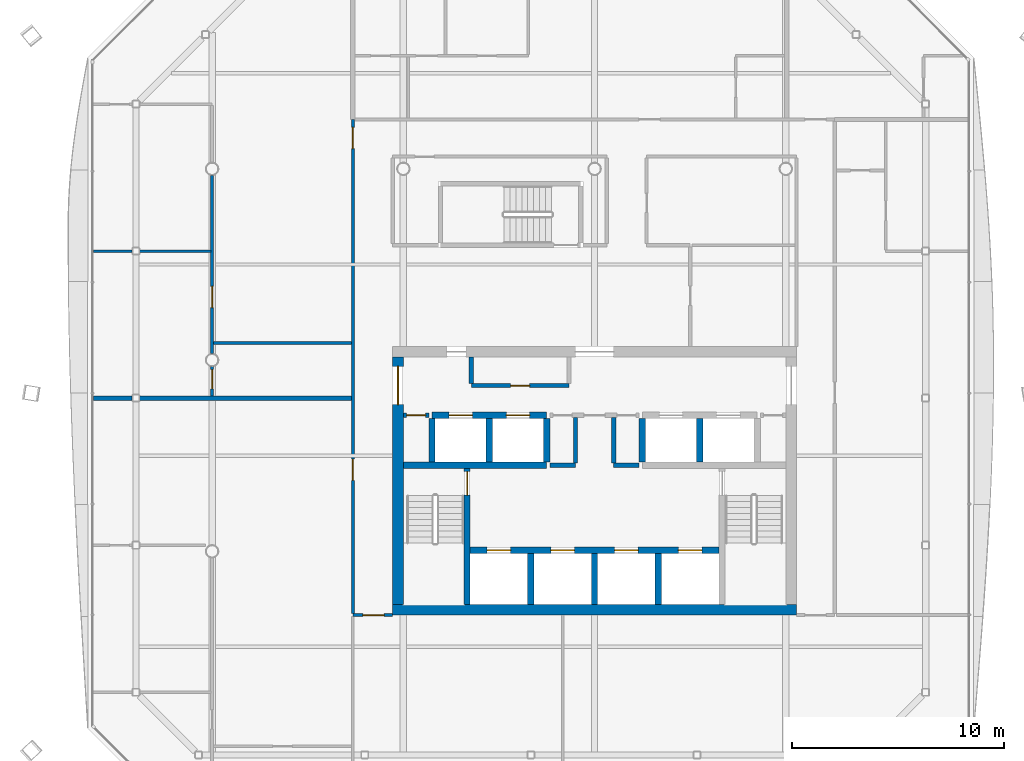
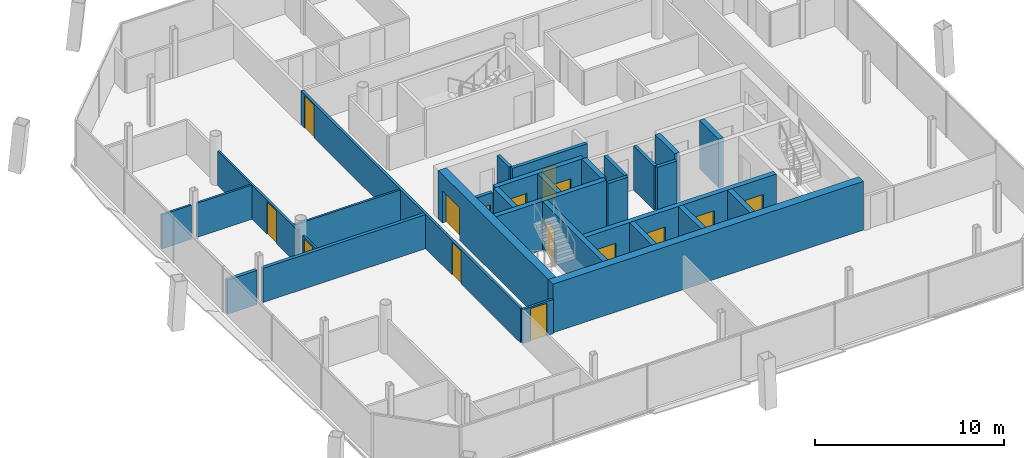
# One storey, part 14 of 20: 30 walls, 15 doors, 15 openings.
"""IFC4 building model written with IfcOpenShell, lengths in metres."""

from ifc_helpers import new_model, si_unit, direction, frame, frame_2d, origin, place, context, subcontext, project, spatial, rectangle, extrude, material, layer, layer_set, type_object, element, fill, save


model = new_model("IFC4")

# Units and contexts
model_context = context("Model", 3, precision=1e-05, world=origin(), true_north=direction((0.0, 1.0)))
body_context = subcontext(model_context, "Body", "Model", "MODEL_VIEW")
ifc_project = project(units=[si_unit("LENGTHUNIT", "METRE"), si_unit("AREAUNIT", "SQUARE_METRE"), si_unit("VOLUMEUNIT", "CUBIC_METRE"), si_unit("PLANEANGLEUNIT", "RADIAN"), si_unit("MASSUNIT", "GRAM", prefix="KILO")], contexts=[model_context])

# Site, building, storey
site_placement = place(None, origin())
site = spatial("IfcSite", under=ifc_project, at=site_placement, CompositionType="ELEMENT")
building_placement = place(site_placement, origin())
building = spatial("IfcBuilding", under=site, at=building_placement, Name="Tskaro Facet Tower", CompositionType="ELEMENT")
storey_placement = place(building_placement, frame((0.0, 0.0, 184.800048828125)))
storey = spatial("IfcBuildingStorey", under=building, at=storey_placement, Name="L46", CompositionType="ELEMENT", Elevation=184.800048828125)

# Wall, openings, doors
ifc_material_1 = material(Name="Concrete C60/75", Category="concrete")
ifc_layer_1 = layer(ifc_material_1, 0.300048828125, Name="Concrete C60/75")
ifc_layer_set_1 = layer_set([ifc_layer_1], Name="Concrete C60/75")
wall_type_1 = type_object("IfcWallType", Name="CORE-SHAFT", PredefinedType="SHEAR", material=ifc_layer_set_1)
wall_1_placement = place(storey_placement, frame((-5.85009765625, -8.949951171875, 0.0), z_axis=(0.0, 0.0, 1.0), x_axis=(1.0, 0.0, 0.0)))
wall_1 = element("IfcWall", 1, at=wall_1_placement, inside=storey, type_object=wall_type_1, Name="Shaft wall W007", PredefinedType="SHEAR", context=body_context, shape_type="SweptSolid", body=[
    extrude(rectangle(XDim=11.7001953125, YDim=0.300048828125, at=frame_2d((5.85009765625, 0.0))), origin(), (0.0, 0.0, 1.0), 3.14990234375),
])
opening_1_placement = place(wall_1_placement, frame((0.800048828125, 0.0, 0.0)))
opening_1 = element("IfcOpeningElement", 2, at=opening_1_placement, cuts=wall_1, Name="Opening LD-FF1", PredefinedType="OPENING", context=body_context, shape_type="SweptSolid", body=[
    extrude(rectangle(XDim=1.10009765625, YDim=2.10009765625, at=frame_2d((0.550048828125, 1.050048828125))), frame((0.0, 0.159912109375, 0.0), z_axis=(0.0, -1.0, 0.0), x_axis=(1.0, 0.0, 0.0)), (0.0, 0.0, 1.0), 0.320068359375),
])
opening_2_placement = place(wall_1_placement, frame((3.800048828125, 0.0, 0.0)))
opening_2 = element("IfcOpeningElement", 3, at=opening_2_placement, cuts=wall_1, Name="Opening LD-FF2", PredefinedType="OPENING", context=body_context, shape_type="SweptSolid", body=[
    extrude(rectangle(XDim=1.10009765625, YDim=2.10009765625, at=frame_2d((0.550048828125, 1.050048828125))), frame((0.0, 0.159912109375, 0.0), z_axis=(0.0, -1.0, 0.0), x_axis=(1.0, 0.0, 0.0)), (0.0, 0.0, 1.0), 0.320068359375),
])
opening_3_placement = place(wall_1_placement, frame((6.800048828125, 0.0, 0.0)))
opening_3 = element("IfcOpeningElement", 4, at=opening_3_placement, cuts=wall_1, Name="Opening LD-SV1", PredefinedType="OPENING", context=body_context, shape_type="SweptSolid", body=[
    extrude(rectangle(XDim=1.10009765625, YDim=2.10009765625, at=frame_2d((0.550048828125, 1.050048828125))), frame((0.0, 0.159912109375, 0.0), z_axis=(0.0, -1.0, 0.0), x_axis=(1.0, 0.0, 0.0)), (0.0, 0.0, 1.0), 0.320068359375),
])
opening_4_placement = place(wall_1_placement, frame((9.800048828125, 0.0, 0.0)))
opening_4 = element("IfcOpeningElement", 5, at=opening_4_placement, cuts=wall_1, Name="Opening LD-SV2", PredefinedType="OPENING", context=body_context, shape_type="SweptSolid", body=[
    extrude(rectangle(XDim=1.10009765625, YDim=2.10009765625, at=frame_2d((0.550048828125, 1.050048828125))), frame((0.0, 0.159912109375, 0.0), z_axis=(0.0, -1.0, 0.0), x_axis=(1.0, 0.0, 0.0)), (0.0, 0.0, 1.0), 0.320068359375),
])
ifc_material_2 = material(Name="Stainless steel", Category="steel")
door_type_1 = type_object("IfcDoorType", Name="D-LANDING", OperationType="NOTDEFINED", PredefinedType="DOOR", material=ifc_material_2)
door_1_placement = place(opening_1_placement, origin())
door_1 = element("IfcDoor", 6, at=door_1_placement, inside=storey, type_object=door_type_1, Name="Landing door FF1", OperationType="DOUBLE_DOOR_SLIDING", OverallHeight=2.10009765625, OverallWidth=1.10009765625, PredefinedType="DOOR", context=body_context, shape_type="SweptSolid", body=[
    extrude(rectangle(XDim=1.10009765625, YDim=2.10009765625, at=frame_2d((0.550048828125, 1.050048828125))), frame((0.0, 0.02490234375, 0.0), z_axis=(0.0, -1.0, 0.0), x_axis=(1.0, 0.0, 0.0)), (0.0, 0.0, 1.0), 0.050048828125),
])
fill(opening_1, door_1)
door_2_placement = place(opening_2_placement, origin())
door_2 = element("IfcDoor", 7, at=door_2_placement, inside=storey, type_object=door_type_1, Name="Landing door FF2", OperationType="DOUBLE_DOOR_SLIDING", OverallHeight=2.10009765625, OverallWidth=1.10009765625, PredefinedType="DOOR", context=body_context, shape_type="SweptSolid", body=[
    extrude(rectangle(XDim=1.10009765625, YDim=2.10009765625, at=frame_2d((0.550048828125, 1.050048828125))), frame((0.0, 0.02490234375, 0.0), z_axis=(0.0, -1.0, 0.0), x_axis=(1.0, 0.0, 0.0)), (0.0, 0.0, 1.0), 0.050048828125),
])
fill(opening_2, door_2)
door_3_placement = place(opening_3_placement, origin())
door_3 = element("IfcDoor", 8, at=door_3_placement, inside=storey, type_object=door_type_1, Name="Landing door SV1", OperationType="DOUBLE_DOOR_SLIDING", OverallHeight=2.10009765625, OverallWidth=1.10009765625, PredefinedType="DOOR", context=body_context, shape_type="SweptSolid", body=[
    extrude(rectangle(XDim=1.10009765625, YDim=2.10009765625, at=frame_2d((0.550048828125, 1.050048828125))), frame((0.0, 0.02490234375, 0.0), z_axis=(0.0, -1.0, 0.0), x_axis=(1.0, 0.0, 0.0)), (0.0, 0.0, 1.0), 0.050048828125),
])
fill(opening_3, door_3)
door_4_placement = place(opening_4_placement, origin())
door_4 = element("IfcDoor", 9, at=door_4_placement, inside=storey, type_object=door_type_1, Name="Landing door SV2", OperationType="DOUBLE_DOOR_SLIDING", OverallHeight=2.10009765625, OverallWidth=1.10009765625, PredefinedType="DOOR", context=body_context, shape_type="SweptSolid", body=[
    extrude(rectangle(XDim=1.10009765625, YDim=2.10009765625, at=frame_2d((0.550048828125, 1.050048828125))), frame((0.0, 0.02490234375, 0.0), z_axis=(0.0, -1.0, 0.0), x_axis=(1.0, 0.0, 0.0)), (0.0, 0.0, 1.0), 0.050048828125),
])
fill(opening_4, door_4)

# Wall
wall_2_placement = place(storey_placement, frame((-9.0, -4.949951171875, 0.0), z_axis=(0.0, 0.0, 1.0), x_axis=(1.0, 0.0, 0.0)))
element("IfcWall", 10, at=wall_2_placement, inside=storey, type_object=wall_type_1, Name="Shaft wall W010", PredefinedType="SHEAR", context=body_context, shape_type="SweptSolid", body=[
    extrude(rectangle(XDim=6.75, YDim=0.300048828125, at=frame_2d((3.375, 0.0))), origin(), (0.0, 0.0, 1.0), 3.14990234375),
])

# Wall, openings, doors
wall_3_placement = place(storey_placement, frame((-7.64990234375, -2.60009765625, 0.0), z_axis=(0.0, 0.0, 1.0), x_axis=(1.0, 0.0, 0.0)))
wall_3 = element("IfcWall", 11, at=wall_3_placement, inside=storey, type_object=wall_type_1, Name="Shaft wall W015", PredefinedType="SHEAR", context=body_context, shape_type="SweptSolid", body=[
    extrude(rectangle(XDim=5.39990234375, YDim=0.300048828125, at=frame_2d((2.699951171875, 0.0))), origin(), (0.0, 0.0, 1.0), 3.14990234375),
])
opening_5_placement = place(wall_3_placement, frame((0.800048828125, 0.0, 0.0)))
opening_5 = element("IfcOpeningElement", 12, at=opening_5_placement, cuts=wall_3, Name="Opening LD-HB1", PredefinedType="OPENING", context=body_context, shape_type="SweptSolid", body=[
    extrude(rectangle(XDim=1.10009765625, YDim=2.10009765625, at=frame_2d((0.550048828125, 1.050048828125))), frame((0.0, 0.159912109375, 0.0), z_axis=(0.0, -1.0, 0.0), x_axis=(1.0, 0.0, 0.0)), (0.0, 0.0, 1.0), 0.320068359375),
])
opening_6_placement = place(wall_3_placement, frame((3.5, 0.0, 0.0)))
opening_6 = element("IfcOpeningElement", 13, at=opening_6_placement, cuts=wall_3, Name="Opening LD-HB2", PredefinedType="OPENING", context=body_context, shape_type="SweptSolid", body=[
    extrude(rectangle(XDim=1.10009765625, YDim=2.10009765625, at=frame_2d((0.550048828125, 1.050048828125))), frame((0.0, 0.159912109375, 0.0), z_axis=(0.0, -1.0, 0.0), x_axis=(1.0, 0.0, 0.0)), (0.0, 0.0, 1.0), 0.320068359375),
])
door_5_placement = place(opening_5_placement, origin())
door_5 = element("IfcDoor", 14, at=door_5_placement, inside=storey, type_object=door_type_1, Name="Landing door HB1", OperationType="DOUBLE_DOOR_SLIDING", OverallHeight=2.10009765625, OverallWidth=1.10009765625, PredefinedType="DOOR", context=body_context, shape_type="SweptSolid", body=[
    extrude(rectangle(XDim=1.10009765625, YDim=2.10009765625, at=frame_2d((0.550048828125, 1.050048828125))), frame((0.0, 0.02490234375, 0.0), z_axis=(0.0, -1.0, 0.0), x_axis=(1.0, 0.0, 0.0)), (0.0, 0.0, 1.0), 0.050048828125),
])
fill(opening_5, door_5)
door_6_placement = place(opening_6_placement, origin())
door_6 = element("IfcDoor", 15, at=door_6_placement, inside=storey, type_object=door_type_1, Name="Landing door HB2", OperationType="DOUBLE_DOOR_SLIDING", OverallHeight=2.10009765625, OverallWidth=1.10009765625, PredefinedType="DOOR", context=body_context, shape_type="SweptSolid", body=[
    extrude(rectangle(XDim=1.10009765625, YDim=2.10009765625, at=frame_2d((0.550048828125, 1.050048828125))), frame((0.0, 0.02490234375, 0.0), z_axis=(0.0, -1.0, 0.0), x_axis=(1.0, 0.0, 0.0)), (0.0, 0.0, 1.0), 0.050048828125),
])
fill(opening_6, door_6)

# Wall
wall_4_placement = place(storey_placement, frame((-7.64990234375, -4.800048828125, 0.0), z_axis=(0.0, 0.0, 1.0), x_axis=(0.0, 1.0, 0.0)))
element("IfcWall", 16, at=wall_4_placement, inside=storey, type_object=wall_type_1, Name="Shaft wall W055", PredefinedType="SHEAR", context=body_context, shape_type="SweptSolid", body=[
    extrude(rectangle(XDim=2.050048828125, YDim=0.300048828125, at=frame_2d((1.02490234375, 0.0))), origin(), (0.0, 0.0, 1.0), 3.14990234375),
])

# Wall, opening, door
wall_5_placement = place(storey_placement, frame((-6.0, -11.5, 0.0), z_axis=(0.0, 0.0, 1.0), x_axis=(0.0, 1.0, 0.0)))
wall_5 = element("IfcWall", 17, at=wall_5_placement, inside=storey, type_object=wall_type_1, Name="Shaft wall W059", PredefinedType="SHEAR", context=body_context, shape_type="SweptSolid", body=[
    extrude(rectangle(XDim=6.39990234375, YDim=0.300048828125, at=frame_2d((3.199951171875, 0.0))), origin(), (0.0, 0.0, 1.0), 3.14990234375),
])
opening_7_placement = place(wall_5_placement, frame((5.14990234375, 0.0, 0.0)))
opening_7 = element("IfcOpeningElement", 18, at=opening_7_placement, cuts=wall_5, Name="Opening ST-1-D1", PredefinedType="OPENING", context=body_context, shape_type="SweptSolid", body=[
    extrude(rectangle(XDim=1.10009765625, YDim=2.10009765625, at=frame_2d((0.550048828125, 1.050048828125))), frame((0.0, 0.159912109375, 0.0), z_axis=(0.0, -1.0, 0.0), x_axis=(1.0, 0.0, 0.0)), (0.0, 0.0, 1.0), 0.320068359375),
])
ifc_material_3 = material(Name="Steel", Category="steel")
door_type_2 = type_object("IfcDoorType", Name="D-STAIR", OperationType="NOTDEFINED", PredefinedType="DOOR", material=ifc_material_3)
door_7_placement = place(opening_7_placement, origin())
door_7 = element("IfcDoor", 19, at=door_7_placement, inside=storey, type_object=door_type_2, Name="Stair door 1", OperationType="SINGLE_SWING_LEFT", OverallHeight=2.10009765625, OverallWidth=1.10009765625, PredefinedType="DOOR", context=body_context, shape_type="SweptSolid", body=[
    extrude(rectangle(XDim=1.10009765625, YDim=2.10009765625, at=frame_2d((0.550048828125, 1.050048828125))), frame((0.0, 0.02490234375, 0.0), z_axis=(0.0, -1.0, 0.0), x_axis=(1.0, 0.0, 0.0)), (0.0, 0.0, 1.0), 0.050048828125),
])
fill(opening_7, door_7)

# Walls
wall_6_placement = place(storey_placement, frame((-4.949951171875, -4.800048828125, 0.0), z_axis=(0.0, 0.0, 1.0), x_axis=(0.0, 1.0, 0.0)))
element("IfcWall", 20, at=wall_6_placement, inside=storey, type_object=wall_type_1, Name="Shaft wall W061", PredefinedType="SHEAR", context=body_context, shape_type="SweptSolid", body=[
    extrude(rectangle(XDim=2.050048828125, YDim=0.300048828125, at=frame_2d((1.02490234375, 0.0))), origin(), (0.0, 0.0, 1.0), 3.14990234375),
])
wall_7_placement = place(storey_placement, frame((-3.0, -11.5, 0.0), z_axis=(0.0, 0.0, 1.0), x_axis=(0.0, 1.0, 0.0)))
element("IfcWall", 21, at=wall_7_placement, inside=storey, type_object=wall_type_1, Name="Shaft wall W063", PredefinedType="SHEAR", context=body_context, shape_type="SweptSolid", body=[
    extrude(rectangle(XDim=2.39990234375, YDim=0.300048828125, at=frame_2d((1.199951171875, 0.0))), origin(), (0.0, 0.0, 1.0), 3.14990234375),
])
wall_8_placement = place(storey_placement, frame((-2.25, -4.800048828125, 0.0), z_axis=(0.0, 0.0, 1.0), x_axis=(0.0, 1.0, 0.0)))
element("IfcWall", 22, at=wall_8_placement, inside=storey, type_object=wall_type_1, Name="Shaft wall W064", PredefinedType="SHEAR", context=body_context, shape_type="SweptSolid", body=[
    extrude(rectangle(XDim=2.050048828125, YDim=0.300048828125, at=frame_2d((1.02490234375, 0.0))), origin(), (0.0, 0.0, 1.0), 3.14990234375),
])
wall_9_placement = place(storey_placement, frame((0.0, -11.5, 0.0), z_axis=(0.0, 0.0, 1.0), x_axis=(0.0, 1.0, 0.0)))
element("IfcWall", 23, at=wall_9_placement, inside=storey, type_object=wall_type_1, Name="Shaft wall W069", PredefinedType="SHEAR", context=body_context, shape_type="SweptSolid", body=[
    extrude(rectangle(XDim=2.39990234375, YDim=0.300048828125, at=frame_2d((1.199951171875, 0.0))), origin(), (0.0, 0.0, 1.0), 3.14990234375),
])
wall_10_placement = place(storey_placement, frame((2.25, -4.800048828125, 0.0), z_axis=(0.0, 0.0, 1.0), x_axis=(0.0, 1.0, 0.0)))
element("IfcWall", 24, at=wall_10_placement, inside=storey, type_object=wall_type_1, Name="Shaft wall W072", PredefinedType="SHEAR", context=body_context, shape_type="SweptSolid", body=[
    extrude(rectangle(XDim=2.050048828125, YDim=0.300048828125, at=frame_2d((1.02490234375, 0.0))), origin(), (0.0, 0.0, 1.0), 3.14990234375),
])
wall_11_placement = place(storey_placement, frame((3.0, -11.5, 0.0), z_axis=(0.0, 0.0, 1.0), x_axis=(0.0, 1.0, 0.0)))
element("IfcWall", 25, at=wall_11_placement, inside=storey, type_object=wall_type_1, Name="Shaft wall W074", PredefinedType="SHEAR", context=body_context, shape_type="SweptSolid", body=[
    extrude(rectangle(XDim=2.39990234375, YDim=0.300048828125, at=frame_2d((1.199951171875, 0.0))), origin(), (0.0, 0.0, 1.0), 3.14990234375),
])
wall_12_placement = place(storey_placement, frame((4.949951171875, -4.800048828125, 0.0), z_axis=(0.0, 0.0, 1.0), x_axis=(0.0, 1.0, 0.0)))
element("IfcWall", 26, at=wall_12_placement, inside=storey, type_object=wall_type_1, Name="Shaft wall W076", PredefinedType="SHEAR", context=body_context, shape_type="SweptSolid", body=[
    extrude(rectangle(XDim=2.050048828125, YDim=0.300048828125, at=frame_2d((1.02490234375, 0.0))), origin(), (0.0, 0.0, 1.0), 3.14990234375),
])
ifc_material_4 = material(Name="Concrete C20/25", Category="concrete")
ifc_layer_2 = layer(ifc_material_4, 0.199951171875, Name="Concrete C20/25")
ifc_layer_set_2 = layer_set([ifc_layer_2], Name="Concrete C20/25")
wall_type_2 = type_object("IfcWallType", Name="CORE-WALL", PredefinedType="SOLIDWALL", material=ifc_layer_set_2)
for number, where, z_axis, x_axis, name in (
    (27, (-2.10009765625, -4.949951171875, 0.0), (0.0, 0.0, 1.0), (1.0, 0.0, 0.0), "Core room wall W011"),
    (28, (0.89990234375, -4.949951171875, 0.0), (0.0, 0.0, 1.0), (1.0, 0.0, 0.0), "Core room wall W012"),
):
    element("IfcWall", number, at=place(storey_placement, frame(where, z_axis=z_axis, x_axis=x_axis)), inside=storey, type_object=wall_type_2, Name=name, PredefinedType="SOLIDWALL", context=body_context, shape_type="SweptSolid", body=[
        extrude(rectangle(XDim=1.2001953125, YDim=0.199951171875, at=frame_2d((0.60009765625, 0.0))), origin(), (0.0, 0.0, 1.0), 2.849853515625),
    ])

# Wall, opening, door
wall_13_placement = place(storey_placement, frame((-7.800048828125, -2.60009765625, 0.0), z_axis=(0.0, 0.0, 1.0), x_axis=(-1.0, 0.0, 0.0)))
wall_13 = element("IfcWall", 29, at=wall_13_placement, inside=storey, type_object=wall_type_2, Name="Core room wall W014", PredefinedType="SOLIDWALL", context=body_context, shape_type="SweptSolid", body=[
    extrude(rectangle(XDim=1.199951171875, YDim=0.199951171875, at=frame_2d((0.60009765625, 0.0))), origin(), (0.0, 0.0, 1.0), 2.849853515625),
])
opening_8_placement = place(wall_13_placement, frame((0.14990234375, 0.0, 0.0)))
opening_8 = element("IfcOpeningElement", 30, at=opening_8_placement, cuts=wall_13, Name="Opening T13-D07", PredefinedType="OPENING", context=body_context, shape_type="SweptSolid", body=[
    extrude(rectangle(XDim=0.89990234375, YDim=2.10009765625, at=frame_2d((0.449951171875, 1.050048828125))), frame((0.0, 0.10986328125, 0.0), z_axis=(0.0, -1.0, 0.0), x_axis=(1.0, 0.0, 0.0)), (0.0, 0.0, 1.0), 0.219970703125),
])
ifc_material_5 = material(Name="Timber", Category="wood")
door_type_3 = type_object("IfcDoorType", Name="D-ROOM", OperationType="NOTDEFINED", PredefinedType="DOOR", material=ifc_material_5)
door_8_placement = place(opening_8_placement, origin())
door_8 = element("IfcDoor", 31, at=door_8_placement, inside=storey, type_object=door_type_3, Name="Door T13-D07", OperationType="SINGLE_SWING_RIGHT", OverallHeight=2.10009765625, OverallWidth=0.89990234375, PredefinedType="DOOR", context=body_context, shape_type="SweptSolid", body=[
    extrude(rectangle(XDim=0.89990234375, YDim=2.10009765625, at=frame_2d((0.449951171875, 1.050048828125))), frame((0.0, 0.02490234375, 0.0), z_axis=(0.0, -1.0, 0.0), x_axis=(1.0, 0.0, 0.0)), (0.0, 0.0, 1.0), 0.050048828125),
])
fill(opening_8, door_8)

wall_14_placement = place(storey_placement, frame((-5.800048828125, -1.199951171875, 0.0), z_axis=(0.0, 0.0, 1.0), x_axis=(1.0, 0.0, 0.0)))
wall_14 = element("IfcWall", 32, at=wall_14_placement, inside=storey, type_object=wall_type_2, Name="Core room wall W021", PredefinedType="SOLIDWALL", context=body_context, shape_type="SweptSolid", body=[
    extrude(rectangle(XDim=4.60009765625, YDim=0.199951171875, at=frame_2d((2.300048828125, 0.0))), origin(), (0.0, 0.0, 1.0), 2.849853515625),
])
opening_9_placement = place(wall_14_placement, frame((1.85009765625, 0.0, 0.0)))
opening_9 = element("IfcOpeningElement", 33, at=opening_9_placement, cuts=wall_14, Name="Opening T13-D13", PredefinedType="OPENING", context=body_context, shape_type="SweptSolid", body=[
    extrude(rectangle(XDim=0.89990234375, YDim=2.10009765625, at=frame_2d((0.449951171875, 1.050048828125))), frame((0.0, 0.10986328125, 0.0), z_axis=(0.0, -1.0, 0.0), x_axis=(1.0, 0.0, 0.0)), (0.0, 0.0, 1.0), 0.219970703125),
])
door_9_placement = place(opening_9_placement, origin())
door_9 = element("IfcDoor", 34, at=door_9_placement, inside=storey, type_object=door_type_3, Name="Door T13-D13", OperationType="SINGLE_SWING_LEFT", OverallHeight=2.10009765625, OverallWidth=0.89990234375, PredefinedType="DOOR", context=body_context, shape_type="SweptSolid", body=[
    extrude(rectangle(XDim=0.89990234375, YDim=2.10009765625, at=frame_2d((0.449951171875, 1.050048828125))), frame((0.0, 0.02490234375, 0.0), z_axis=(0.0, -1.0, 0.0), x_axis=(1.0, 0.0, 0.0)), (0.0, 0.0, 1.0), 0.050048828125),
])
fill(opening_9, door_9)

# Walls
wall_15_placement = place(storey_placement, frame((-5.800048828125, -1.10009765625, 0.0), z_axis=(0.0, 0.0, 1.0), x_axis=(0.0, 1.0, 0.0)))
element("IfcWall", 35, at=wall_15_placement, inside=storey, type_object=wall_type_2, Name="Core room wall W060", PredefinedType="SOLIDWALL", context=body_context, shape_type="SweptSolid", body=[
    extrude(rectangle(XDim=1.25, YDim=0.199951171875, at=frame_2d((0.625, 0.0))), origin(), (0.0, 0.0, 1.0), 2.849853515625),
])
for number, where, z_axis, x_axis, name in (
    (36, (-0.89990234375, -4.85009765625, 0.0), (0.0, 0.0, 1.0), (0.0, 1.0, 0.0), "Core room wall W067"),
    (37, (0.89990234375, -4.85009765625, 0.0), (0.0, 0.0, 1.0), (0.0, 1.0, 0.0), "Core room wall W071"),
):
    element("IfcWall", number, at=place(storey_placement, frame(where, z_axis=z_axis, x_axis=x_axis)), inside=storey, type_object=wall_type_2, Name=name, PredefinedType="SOLIDWALL", context=body_context, shape_type="SweptSolid", body=[
        extrude(rectangle(XDim=2.150146484375, YDim=0.199951171875, at=frame_2d((1.0751953125, 0.0))), origin(), (0.0, 0.0, 1.0), 2.849853515625),
    ])
ifc_material_6 = material(Name="Concrete C40/50", Category="concrete")
ifc_layer_3 = layer(ifc_material_6, 0.5, Name="Concrete C40/50")
ifc_layer_set_3 = layer_set([ifc_layer_3], Name="Concrete C40/50")
wall_type_3 = type_object("IfcWallType", Name="Core wall 500", PredefinedType="SHEAR", material=ifc_layer_set_3)
wall_16_placement = place(storey_placement, frame((-9.5, -11.75, 0.0), z_axis=(0.0, 0.0, 1.0), x_axis=(1.0, 0.0, 0.0)))
element("IfcWall", 38, at=wall_16_placement, inside=storey, type_object=wall_type_3, Name="Core wall CW-Z3S", PredefinedType="SHEAR", context=body_context, shape_type="SweptSolid", body=[
    extrude(rectangle(XDim=19.0, YDim=0.5, at=frame_2d((9.5, 0.0))), origin(), (0.0, 0.0, 1.0), 3.14990234375),
])

# Wall, opening, door
wall_17_placement = place(storey_placement, frame((-9.25, -11.5, 0.0), z_axis=(0.0, 0.0, 1.0), x_axis=(0.0, 1.0, 0.0)))
wall_17 = element("IfcWall", 39, at=wall_17_placement, inside=storey, type_object=wall_type_3, Name="Core wall CW-Z3W", PredefinedType="SHEAR", context=body_context, shape_type="SweptSolid", body=[
    extrude(rectangle(XDim=11.64990234375, YDim=0.5, at=frame_2d((5.824951171875, 0.0))), origin(), (0.0, 0.0, 1.0), 3.14990234375),
])
opening_10_placement = place(wall_17_placement, frame((9.39990234375, 0.0, 0.0)))
opening_10 = element("IfcOpeningElement", 40, at=opening_10_placement, cuts=wall_17, Name="Opening T13-D12", PredefinedType="OPENING", context=body_context, shape_type="SweptSolid", body=[
    extrude(rectangle(XDim=1.800048828125, YDim=2.10009765625, at=frame_2d((0.89990234375, 1.050048828125))), frame((0.0, 0.260009765625, 0.0), z_axis=(0.0, -1.0, 0.0), x_axis=(1.0, 0.0, 0.0)), (0.0, 0.0, 1.0), 0.52001953125),
])
door_type_4 = type_object("IfcDoorType", Name="D-CORE-PAIR", OperationType="NOTDEFINED", PredefinedType="DOOR", material=ifc_material_3)
door_10_placement = place(opening_10_placement, origin())
door_10 = element("IfcDoor", 41, at=door_10_placement, inside=storey, type_object=door_type_4, Name="Door T13-D12", OperationType="DOUBLE_DOOR_SINGLE_SWING", OverallHeight=2.10009765625, OverallWidth=1.800048828125, PredefinedType="DOOR", context=body_context, shape_type="SweptSolid", body=[
    extrude(rectangle(XDim=1.800048828125, YDim=2.10009765625, at=frame_2d((0.89990234375, 1.050048828125))), frame((0.0, 0.02490234375, 0.0), z_axis=(0.0, -1.0, 0.0), x_axis=(1.0, 0.0, 0.0)), (0.0, 0.0, 1.0), 0.050048828125),
])
fill(opening_10, door_10)

# Walls
ifc_material_7 = material(Name="Gypsum board on steel studs", Category="steel")
ifc_layer_4 = layer(ifc_material_7, 0.125, Name="Gypsum board on steel studs")
ifc_layer_set_4 = layer_set([ifc_layer_4], Name="Gypsum board on steel studs")
wall_type_4 = type_object("IfcWallType", Name="PART", PredefinedType="PARTITIONING", material=ifc_layer_set_4)
wall_18_placement = place(storey_placement, frame((-17.9375, 0.804931640625, 0.0), z_axis=(0.0, 0.0, 1.0), x_axis=(1.0, 0.0, 0.0)))
element("IfcWall", 42, at=wall_18_placement, inside=storey, type_object=wall_type_4, Name="Partition W022", PredefinedType="PARTITIONING", context=body_context, shape_type="SweptSolid", body=[
    extrude(rectangle(XDim=6.487548828125, YDim=0.125, at=frame_2d((3.24365234375, 0.0))), origin(), (0.0, 0.0, 1.0), 2.2099609375),
])
wall_19_placement = place(storey_placement, frame((-23.577880859375, 5.125, 0.0), z_axis=(0.0, 0.0, 1.0), x_axis=(1.0, 0.0, 0.0)))
element("IfcWall", 43, at=wall_19_placement, inside=storey, type_object=wall_type_4, Name="Partition W023", PredefinedType="PARTITIONING", context=body_context, shape_type="SweptSolid", body=[
    extrude(rectangle(XDim=1.81982421875, YDim=0.125, at=frame_2d((0.909912109375, 0.0))), origin(), (0.0, 0.0, 1.0), 2.2099609375),
])
wall_20_placement = place(storey_placement, frame((-21.407958984375, 5.125, 0.0), z_axis=(0.0, 0.0, 1.0), x_axis=(1.0, 0.0, 0.0)))
element("IfcWall", 44, at=wall_20_placement, inside=storey, type_object=wall_type_4, Name="Partition W024", PredefinedType="PARTITIONING", context=body_context, shape_type="SweptSolid", body=[
    extrude(rectangle(XDim=3.345458984375, YDim=0.125, at=frame_2d((1.6728515625, 0.0))), origin(), (0.0, 0.0, 1.0), 2.2099609375),
])

# Wall, opening, door
wall_21_placement = place(storey_placement, frame((-18.0, -0.304931640625, 0.0), z_axis=(0.0, 0.0, 1.0), x_axis=(0.0, -1.0, 0.0)))
wall_21 = element("IfcWall", 45, at=wall_21_placement, inside=storey, type_object=wall_type_4, Name="Partition W046", PredefinedType="PARTITIONING", context=body_context, shape_type="SweptSolid", body=[
    extrude(rectangle(XDim=1.39013671875, YDim=0.125, at=frame_2d((0.695068359375, 0.0))), origin(), (0.0, 0.0, 1.0), 2.2099609375),
])
opening_11_placement = place(wall_21_placement, frame((0.14990234375, 0.0, 0.0)))
opening_11 = element("IfcOpeningElement", 46, at=opening_11_placement, cuts=wall_21, Name="Opening T13-D15", PredefinedType="OPENING", context=body_context, shape_type="SweptSolid", body=[
    extrude(rectangle(XDim=0.89990234375, YDim=2.10009765625, at=frame_2d((0.449951171875, 1.050048828125))), frame((0.0, 0.072509765625, 0.0), z_axis=(0.0, -1.0, 0.0), x_axis=(1.0, 0.0, 0.0)), (0.0, 0.0, 1.0), 0.14501953125),
])
door_11_placement = place(opening_11_placement, origin())
door_11 = element("IfcDoor", 47, at=door_11_placement, inside=storey, type_object=door_type_3, Name="Door T13-D15", OperationType="SINGLE_SWING_RIGHT", OverallHeight=2.10009765625, OverallWidth=0.89990234375, PredefinedType="DOOR", context=body_context, shape_type="SweptSolid", body=[
    extrude(rectangle(XDim=0.89990234375, YDim=2.10009765625, at=frame_2d((0.449951171875, 1.050048828125))), frame((0.0, 0.02490234375, 0.0), z_axis=(0.0, -1.0, 0.0), x_axis=(1.0, 0.0, 0.0)), (0.0, 0.0, 1.0), 0.050048828125),
])
fill(opening_11, door_11)

wall_22_placement = place(storey_placement, frame((-18.0, 0.304931640625, 0.0), z_axis=(0.0, 0.0, 1.0), x_axis=(0.0, 1.0, 0.0)))
wall_22 = element("IfcWall", 48, at=wall_22_placement, inside=storey, type_object=wall_type_4, Name="Partition W047", PredefinedType="PARTITIONING", context=body_context, shape_type="SweptSolid", body=[
    extrude(rectangle(XDim=8.39013671875, YDim=0.125, at=frame_2d((4.195068359375, 0.0))), origin(), (0.0, 0.0, 1.0), 2.2099609375),
])
opening_12_placement = place(wall_22_placement, frame((2.159912109375, 0.0, 0.0)))
opening_12 = element("IfcOpeningElement", 49, at=opening_12_placement, cuts=wall_22, Name="Opening T13-D18", PredefinedType="OPENING", context=body_context, shape_type="SweptSolid", body=[
    extrude(rectangle(XDim=1.0, YDim=2.10009765625, at=frame_2d((0.5, 1.050048828125))), frame((0.0, 0.072509765625, 0.0), z_axis=(0.0, -1.0, 0.0), x_axis=(1.0, 0.0, 0.0)), (0.0, 0.0, 1.0), 0.14501953125),
])
door_type_5 = type_object("IfcDoorType", Name="D-ROOM-WIDE", OperationType="NOTDEFINED", PredefinedType="DOOR", material=ifc_material_5)
door_12_placement = place(opening_12_placement, origin())
door_12 = element("IfcDoor", 50, at=door_12_placement, inside=storey, type_object=door_type_5, Name="Door T13-D18", OperationType="SINGLE_SWING_LEFT", OverallHeight=2.10009765625, OverallWidth=1.0, PredefinedType="DOOR", context=body_context, shape_type="SweptSolid", body=[
    extrude(rectangle(XDim=1.0, YDim=2.10009765625, at=frame_2d((0.5, 1.050048828125))), frame((0.0, 0.02490234375, 0.0), z_axis=(0.0, -1.0, 0.0), x_axis=(1.0, 0.0, 0.0)), (0.0, 0.0, 1.0), 0.050048828125),
])
fill(opening_12, door_12)

ifc_layer_5 = layer(ifc_material_7, 0.14990234375, Name="Gypsum board on steel studs")
ifc_layer_set_5 = layer_set([ifc_layer_5], Name="Gypsum board on steel studs")
wall_type_5 = type_object("IfcWallType", Name="PART-CORR", PredefinedType="PARTITIONING", material=ifc_layer_set_5)
wall_23_placement = place(storey_placement, frame((-9.5, -12.0, 0.0), z_axis=(0.0, 0.0, 1.0), x_axis=(-1.0, 0.0, 0.0)))
wall_23 = element("IfcWall", 51, at=wall_23_placement, inside=storey, type_object=wall_type_5, Name="Corridor wall W004", PredefinedType="PARTITIONING", context=body_context, shape_type="SweptSolid", body=[
    extrude(rectangle(XDim=1.875, YDim=0.14990234375, at=frame_2d((0.9375, 0.0))), origin(), (0.0, 0.0, 1.0), 2.2099609375),
])
opening_13_placement = place(wall_23_placement, frame((0.39990234375, 0.0, 0.0)))
opening_13 = element("IfcOpeningElement", 52, at=opening_13_placement, cuts=wall_23, Name="Opening T13-D03", PredefinedType="OPENING", context=body_context, shape_type="SweptSolid", body=[
    extrude(rectangle(XDim=1.0, YDim=2.10009765625, at=frame_2d((0.5, 1.050048828125))), frame((0.0, 0.0849609375, 0.0), z_axis=(0.0, -1.0, 0.0), x_axis=(1.0, 0.0, 0.0)), (0.0, 0.0, 1.0), 0.169921875),
])
door_13_placement = place(opening_13_placement, origin())
door_13 = element("IfcDoor", 53, at=door_13_placement, inside=storey, type_object=door_type_5, Name="Door T13-D03", OperationType="SINGLE_SWING_RIGHT", OverallHeight=2.10009765625, OverallWidth=1.0, PredefinedType="DOOR", context=body_context, shape_type="SweptSolid", body=[
    extrude(rectangle(XDim=1.0, YDim=2.10009765625, at=frame_2d((0.5, 1.050048828125))), frame((0.0, 0.02490234375, 0.0), z_axis=(0.0, -1.0, 0.0), x_axis=(1.0, 0.0, 0.0)), (0.0, 0.0, 1.0), 0.050048828125),
])
fill(opening_13, door_13)

# Wall, openings, doors
wall_24_placement = place(storey_placement, frame((-11.375, -11.925048828125, 0.0), z_axis=(0.0, 0.0, 1.0), x_axis=(0.0, 1.0, 0.0)))
wall_24 = element("IfcWall", 54, at=wall_24_placement, inside=storey, type_object=wall_type_5, Name="Corridor wall W051", PredefinedType="PARTITIONING", context=body_context, shape_type="SweptSolid", body=[
    extrude(rectangle(XDim=23.25, YDim=0.14990234375, at=frame_2d((11.625, 0.0))), origin(), (0.0, 0.0, 1.0), 2.2099609375),
])
opening_14_placement = place(wall_24_placement, frame((6.262451171875, 0.0, 0.0)))
opening_14 = element("IfcOpeningElement", 55, at=opening_14_placement, cuts=wall_24, Name="Opening T13-D06", PredefinedType="OPENING", context=body_context, shape_type="SweptSolid", body=[
    extrude(rectangle(XDim=1.0, YDim=2.10009765625, at=frame_2d((0.5, 1.050048828125))), frame((0.0, 0.0849609375, 0.0), z_axis=(0.0, -1.0, 0.0), x_axis=(1.0, 0.0, 0.0)), (0.0, 0.0, 1.0), 0.169921875),
])
opening_15_placement = place(wall_24_placement, frame((21.875, 0.0, 0.0)))
opening_15 = element("IfcOpeningElement", 56, at=opening_15_placement, cuts=wall_24, Name="Opening T13-D24", PredefinedType="OPENING", context=body_context, shape_type="SweptSolid", body=[
    extrude(rectangle(XDim=1.0, YDim=2.10009765625, at=frame_2d((0.5, 1.050048828125))), frame((0.0, 0.0849609375, 0.0), z_axis=(0.0, -1.0, 0.0), x_axis=(1.0, 0.0, 0.0)), (0.0, 0.0, 1.0), 0.169921875),
])
door_type_6 = type_object("IfcDoorType", Name="D-FLAT-ENTRY", OperationType="NOTDEFINED", PredefinedType="DOOR", material=ifc_material_5)
door_14_placement = place(opening_14_placement, origin())
door_14 = element("IfcDoor", 57, at=door_14_placement, inside=storey, type_object=door_type_6, Name="Door T13-D06", OperationType="SINGLE_SWING_LEFT", OverallHeight=2.10009765625, OverallWidth=1.0, PredefinedType="DOOR", context=body_context, shape_type="SweptSolid", body=[
    extrude(rectangle(XDim=1.0, YDim=2.10009765625, at=frame_2d((0.5, 1.050048828125))), frame((0.0, 0.02490234375, 0.0), z_axis=(0.0, -1.0, 0.0), x_axis=(1.0, 0.0, 0.0)), (0.0, 0.0, 1.0), 0.050048828125),
])
fill(opening_14, door_14)
door_15_placement = place(opening_15_placement, origin())
door_15 = element("IfcDoor", 58, at=door_15_placement, inside=storey, type_object=door_type_6, Name="Door T13-D24", OperationType="SINGLE_SWING_LEFT", OverallHeight=2.10009765625, OverallWidth=1.0, PredefinedType="DOOR", context=body_context, shape_type="SweptSolid", body=[
    extrude(rectangle(XDim=1.0, YDim=2.10009765625, at=frame_2d((0.5, 1.050048828125))), frame((0.0, 0.02490234375, 0.0), z_axis=(0.0, -1.0, 0.0), x_axis=(1.0, 0.0, 0.0)), (0.0, 0.0, 1.0), 0.050048828125),
])
fill(opening_15, door_15)

# Walls
ifc_layer_6 = layer(ifc_material_7, 0.199951171875, Name="Gypsum board on steel studs")
ifc_layer_set_6 = layer_set([ifc_layer_6], Name="Gypsum board on steel studs")
wall_type_6 = type_object("IfcWallType", Name="PART-DEMISING", PredefinedType="PARTITIONING", material=ifc_layer_set_6)
wall_25_placement = place(storey_placement, frame((-23.577880859375, -1.794921875, 0.0), z_axis=(0.0, 0.0, 1.0), x_axis=(1.0, 0.0, 0.0)))
element("IfcWall", 59, at=wall_25_placement, inside=storey, type_object=wall_type_6, Name="Guest room wall W019", PredefinedType="PARTITIONING", context=body_context, shape_type="SweptSolid", body=[
    extrude(rectangle(XDim=1.81982421875, YDim=0.199951171875, at=frame_2d((0.909912109375, 0.0))), origin(), (0.0, 0.0, 1.0), 2.2099609375),
])
wall_26_placement = place(storey_placement, frame((-21.407958984375, -1.794921875, 0.0), z_axis=(0.0, 0.0, 1.0), x_axis=(1.0, 0.0, 0.0)))
element("IfcWall", 60, at=wall_26_placement, inside=storey, type_object=wall_type_6, Name="Guest room wall W020", PredefinedType="PARTITIONING", context=body_context, shape_type="SweptSolid", body=[
    extrude(rectangle(XDim=9.9580078125, YDim=0.199951171875, at=frame_2d((4.97900390625, 0.0))), origin(), (0.0, 0.0, 1.0), 2.2099609375),
])

save(model, "model.ifc")
